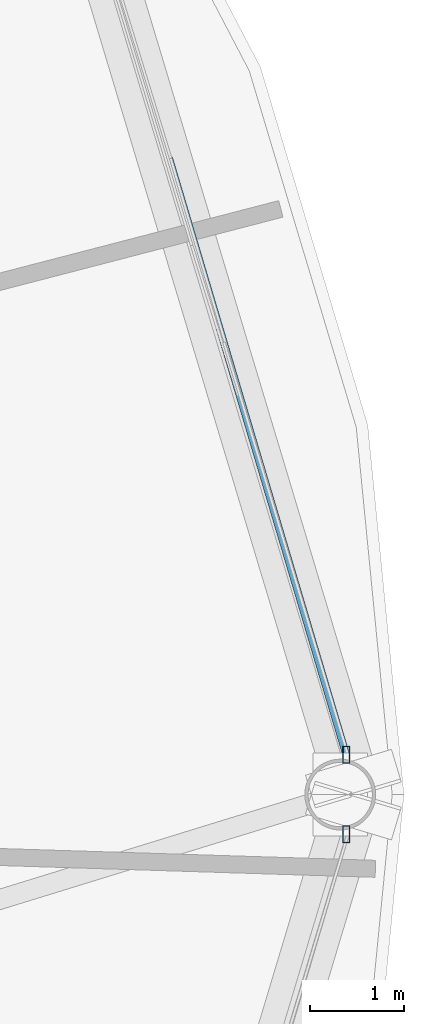
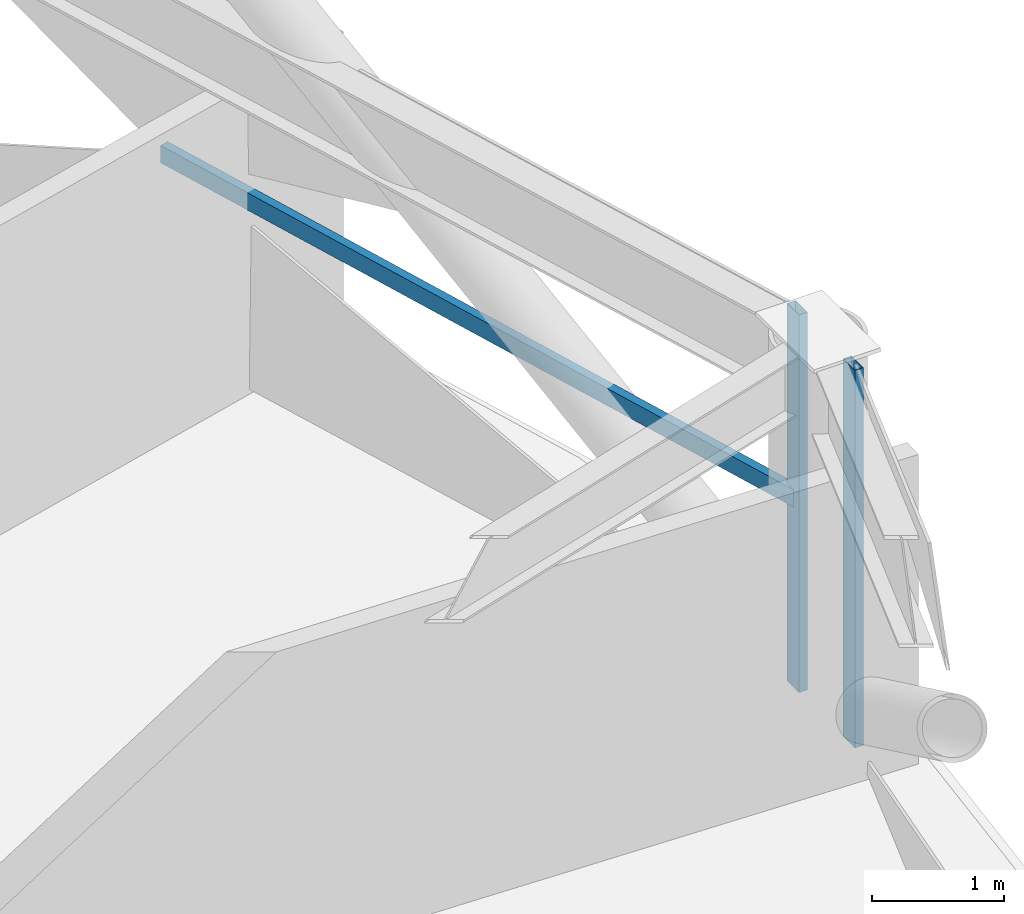
# One storey, part 12 of 29: 3 members, 2 elements without a shape of their own.
"""IFC4 building model written with IfcOpenShell, lengths in metres."""

from ifc_helpers import new_model, si_unit, direction, frame, origin, origin_2d, place, context, subcontext, project, spatial, hollow_rectangle, extrude, material, layer, layer_set, material_profile, profile_set, type_object, element, aggregate, save


model = new_model("IFC4")

# Units and contexts
model_context = context("Model", 3, precision=1e-05, world=origin(), true_north=direction((0.0, 1.0)))
body_context = subcontext(model_context, "Body", "Model", "MODEL_VIEW")
ifc_project = project(units=[si_unit("LENGTHUNIT", "METRE"), si_unit("AREAUNIT", "SQUARE_METRE"), si_unit("VOLUMEUNIT", "CUBIC_METRE"), si_unit("PLANEANGLEUNIT", "RADIAN"), si_unit("MASSUNIT", "GRAM", prefix="KILO")], contexts=[model_context])

# Site, building, storey
site_placement = place(None, origin())
site = spatial("IfcSite", under=ifc_project, at=site_placement, CompositionType="ELEMENT")
building_placement = place(site_placement, origin())
building = spatial("IfcBuilding", under=site, at=building_placement, Name="Vantalir Tower", CompositionType="ELEMENT")
storey_placement = place(building_placement, frame((0.0, 0.0, 164.699951171875)))
storey = spatial("IfcBuildingStorey", under=building, at=storey_placement, Name="L41", CompositionType="ELEMENT", Elevation=164.699951171875)

# Curtain wall, member
ifc_material_1 = material(Name="Champagne-silver PVDF aluminium and double-silver Low-E glass", Category="aluminium")
ifc_layer = layer(ifc_material_1, 0.199951171875)
ifc_layer_set = layer_set([ifc_layer], Name="Champagne-silver PVDF aluminium and double-silver Low-E glass")
curtain_wall_type = type_object("IfcCurtainWallType", Name="CW-DIAMOND-Z2", PredefinedType="USERDEFINED", material=ifc_layer_set)
curtain_wall_1_placement = place(storey_placement, origin())
curtain_wall_1 = element("IfcCurtainWall", 1, at=curtain_wall_1_placement, inside=storey, type_object=curtain_wall_type, Name="L41 Quilted Pyramid-Diamond Curtain Wall S01", ObjectType="UNITISED CURTAIN WALL", PredefinedType="USERDEFINED")
ifc_material_2 = material(Name="Champagne-silver PVDF aluminium 6063-T6", Category="aluminium")
ifc_material_profile_1 = material_profile(ifc_material_2, hollow_rectangle(XDim=0.074951171875, YDim=0.179931640625, WallThickness=0.00390625, at=origin_2d()), Name="Champagne-silver PVDF aluminium 6063-T6")
ifc_profile_set_1 = profile_set([ifc_material_profile_1], Name="Champagne-silver PVDF aluminium 6063-T6")
member_type_1 = type_object("IfcMemberType", Name="CWM-180x75", PredefinedType="MULLION", material=ifc_profile_set_1)
member_1_placement = place(storey_placement, frame((56.09912109375, 25.4208984375, 0.045166015625), z_axis=(0.0, 0.0, 1.0), x_axis=(1.0, 0.0, 0.0)))
member_1 = element("IfcMember", 2, at=member_1_placement, type_object=member_type_1, Name="CW-L41-S01 Mullion 1", PredefinedType="MULLION", context=body_context, shape_type="SweptSolid", body=[
    extrude(hollow_rectangle(XDim=0.074951171875, YDim=0.179931640625, WallThickness=0.00390625, at=origin_2d()), origin(), (0.0, 0.0, 1.0), 3.47998046875),
])

curtain_wall_2_placement = place(storey_placement, origin())
curtain_wall_2 = element("IfcCurtainWall", 3, at=curtain_wall_2_placement, inside=storey, type_object=curtain_wall_type, Name="L41 Quilted Pyramid-Diamond Curtain Wall S12", ObjectType="UNITISED CURTAIN WALL", PredefinedType="USERDEFINED")
member_2_placement = place(storey_placement, frame((56.09912109375, 24.5791015625, 0.045166015625), z_axis=(0.0, 0.0, 1.0), x_axis=(1.0, 0.0, 0.0)))
member_2 = element("IfcMember", 4, at=member_2_placement, type_object=member_type_1, Name="CW-L41-S12 Mullion 2", PredefinedType="MULLION", context=body_context, shape_type="SweptSolid", body=[
    extrude(hollow_rectangle(XDim=0.074951171875, YDim=0.179931640625, WallThickness=0.00390625, at=origin_2d()), origin(), (0.0, 0.0, 1.0), 3.47998046875),
])
aggregate(curtain_wall_2, [member_2])

# Member
ifc_material_profile_2 = material_profile(ifc_material_2, hollow_rectangle(XDim=0.074951171875, YDim=0.159912109375, WallThickness=0.00390625, at=origin_2d()), Name="Champagne-silver PVDF aluminium 6063-T6")
ifc_profile_set_2 = profile_set([ifc_material_profile_2], Name="Champagne-silver PVDF aluminium 6063-T6")
member_type_2 = type_object("IfcMemberType", Name="CWT-160x75", PredefinedType="USERDEFINED", material=ifc_profile_set_2)
member_3_placement = place(storey_placement, frame((56.09912109375, 25.4208984375, 1.78515625), z_axis=(-0.284446632904, 0.958691875959, 0.0), x_axis=(-0.958691875959, -0.284446632904, 0.0)))
member_3 = element("IfcMember", 5, at=member_3_placement, type_object=member_type_2, Name="CW-L41-S01 Pyramid Fold Ridge Transom", ObjectType="TRANSOM", PredefinedType="USERDEFINED", context=body_context, shape_type="SweptSolid", body=[
    extrude(hollow_rectangle(XDim=0.074951171875, YDim=0.159912109375, WallThickness=0.00390625, at=origin_2d()), origin(), (0.0, 0.0, 1.0), 6.58837890625),
])

aggregate(curtain_wall_1, [member_1, member_3])

save(model, "model.ifc")
